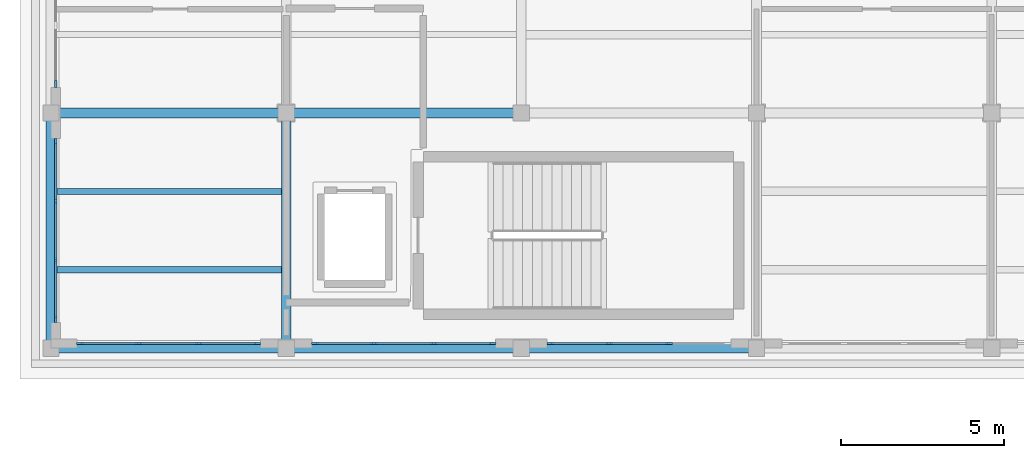
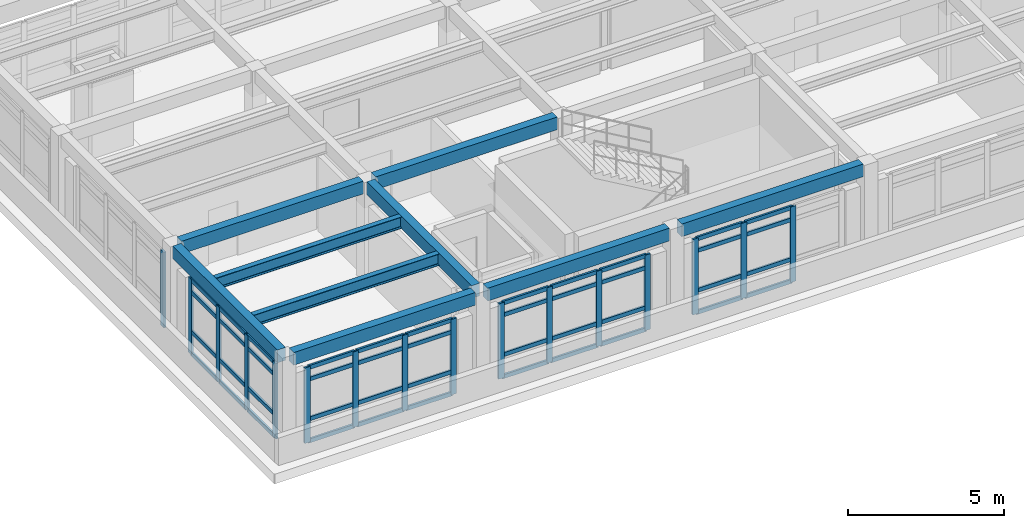
# One storey, part 2 of 18: 60 members, 9 beams, 5 elements without a shape of their own.
"""IFC4 building model written with IfcOpenShell, lengths in metres."""

from ifc_helpers import new_model, si_unit, direction, frame, origin, origin_2d, place, context, subcontext, project, spatial, rectangle, i_section, extrude, material, layer, layer_set, material_profile, profile_set, type_object, element, aggregate, save


model = new_model("IFC4")

# Units and contexts
model_context = context("Model", 3, precision=1e-05, world=origin(), true_north=direction((0.0, 1.0)))
body_context = subcontext(model_context, "Body", "Model", "MODEL_VIEW")
ifc_project = project(units=[si_unit("LENGTHUNIT", "METRE"), si_unit("AREAUNIT", "SQUARE_METRE"), si_unit("VOLUMEUNIT", "CUBIC_METRE"), si_unit("PLANEANGLEUNIT", "RADIAN"), si_unit("MASSUNIT", "GRAM", prefix="KILO")], contexts=[model_context])

# Site, building, storey
site_placement = place(None, origin())
site = spatial("IfcSite", under=ifc_project, at=site_placement, CompositionType="ELEMENT")
building_placement = place(site_placement, origin())
building = spatial("IfcBuilding", under=site, at=building_placement, Name="Solenvale Faculty of Natural Sciences", CompositionType="ELEMENT")
storey_placement = place(building_placement, frame((0.0, 0.0, 43.800048828125)))
storey = spatial("IfcBuildingStorey", under=building, at=storey_placement, Name="L10", CompositionType="ELEMENT", Elevation=43.800048828125)

# Beams
ifc_material_1 = material(Name="Concrete 40 MPa", Category="concrete")
ifc_material_profile_1 = material_profile(ifc_material_1, rectangle(XDim=0.300048828125, YDim=0.5, at=origin_2d()), Name="RC-BM-300x500")
ifc_profile_set_1 = profile_set([ifc_material_profile_1], Name="Concrete 40 MPa")
beam_type_1 = type_object("IfcBeamType", Name="BM-RC-300x500", PredefinedType="BEAM", material=ifc_profile_set_1)
for number, where, z_axis, x_axis, name in (
    (1, (93.830078125, 93.60009765625, 3.669921875), (1.0, 0.0, 0.0), (0.0, 1.0, 0.0), "L10 X-Girder Y93.6 (93.6..100.8)"),
    (2, (101.030029296875, 93.60009765625, 3.669921875), (1.0, 0.0, 0.0), (0.0, 1.0, 0.0), "L10 X-Girder Y93.6 (100.8..108.0)"),
    (3, (108.22998046875, 93.60009765625, 3.669921875), (1.0, 0.0, 0.0), (0.0, 1.0, 0.0), "L10 X-Girder Y93.6 (108.0..115.2)"),
    (4, (93.830078125, 100.800048828125, 3.669921875), (1.0, 0.0, 0.0), (0.0, 1.0, 0.0), "L10 X-Girder Y100.8 (93.6..100.8)"),
    (5, (101.030029296875, 100.800048828125, 3.669921875), (1.0, 0.0, 0.0), (0.0, 1.0, 0.0), "L10 X-Girder Y100.8 (100.8..108.0)"),
    (6, (93.60009765625, 93.830078125, 3.669921875), (0.0, 1.0, 0.0), (-1.0, 0.0, 0.0), "L10 Y-Girder X93.6 (93.6..100.8)"),
    (7, (100.800048828125, 93.830078125, 3.669921875), (0.0, 1.0, 0.0), (-1.0, 0.0, 0.0), "L10 Y-Girder X100.8 (93.6..100.8)"),
):
    element("IfcBeam", number, at=place(storey_placement, frame(where, z_axis=z_axis, x_axis=x_axis)), inside=storey, type_object=beam_type_1, Name=name, PredefinedType="BEAM", context=body_context, shape_type="SweptSolid", body=[
        extrude(rectangle(XDim=0.300048828125, YDim=0.5, at=origin_2d()), origin(), (0.0, 0.0, 1.0), 6.739990234375),
    ])
ifc_material_2 = material(Name="Steel S355", Category="steel")
ifc_material_profile_2 = material_profile(ifc_material_2, i_section(OverallWidth=0.19091796875, OverallDepth=0.4599609375, WebThickness=0.010009765625, FlangeThickness=0.01611328125, FilletRadius=0.01806640625, at=origin_2d()), Name="W460x82")
ifc_profile_set_2 = profile_set([ifc_material_profile_2], Name="Steel S355")
beam_type_2 = type_object("IfcBeamType", Name="BM-STL-W460x82", PredefinedType="JOIST", material=ifc_profile_set_2)
for number, where, z_axis, x_axis, name in (
    (8, (93.72998046875, 96.0, 3.68994140625), (1.0, 0.0, 0.0), (0.0, 1.0, 0.0), "L10 Composite Floor Joist (14,14).1"),
    (9, (93.72998046875, 98.39990234375, 3.68994140625), (1.0, 0.0, 0.0), (0.0, 1.0, 0.0), "L10 Composite Floor Joist (14,14).2"),
):
    element("IfcBeam", number, at=place(storey_placement, frame(where, z_axis=z_axis, x_axis=x_axis)), inside=storey, type_object=beam_type_2, Name=name, PredefinedType="JOIST", context=body_context, shape_type="SweptSolid", body=[
        extrude(i_section(OverallWidth=0.19091796875, OverallDepth=0.4599609375, WebThickness=0.010009765625, FlangeThickness=0.01611328125, FilletRadius=0.01806640625, at=origin_2d()), origin(), (0.0, 0.0, 1.0), 6.93994140625),
    ])

# Curtain wall, member
ifc_material_3 = material(Name="Anodised bronze aluminium", Category="aluminium")
ifc_layer = layer(ifc_material_3, 0.179931640625)
ifc_layer_set = layer_set([ifc_layer], Name="Anodised bronze aluminium")
curtain_wall_type = type_object("IfcCurtainWallType", Name="CW-TWR-MOD", PredefinedType="USERDEFINED", material=ifc_layer_set)
curtain_wall_1_placement = place(storey_placement, origin())
curtain_wall_1 = element("IfcCurtainWall", 10, at=curtain_wall_1_placement, inside=storey, type_object=curtain_wall_type, Name="L10 Curtain Wall CW-L10-P1-E3-B2", ObjectType="UNITISED CURTAIN WALL", PredefinedType="USERDEFINED")
ifc_material_profile_3 = material_profile(ifc_material_3, rectangle(XDim=0.074951171875, YDim=0.2099609375, at=origin_2d()), Name="ALU-MUL-75x210")
ifc_profile_set_3 = profile_set([ifc_material_profile_3], Name="Anodised bronze aluminium")
member_type_1 = type_object("IfcMemberType", Name="CWM-ALU-75x210", PredefinedType="MULLION", material=ifc_profile_set_3)
member_1_placement = place(storey_placement, frame((93.742431640625, 101.6875, 0.0), z_axis=(0.0, 0.0, 1.0), x_axis=(1.0, 0.0, 0.0)))
member_1 = element("IfcMember", 11, at=member_1_placement, type_object=member_type_1, Name="CW-04 mullion 4", PredefinedType="MULLION", context=body_context, shape_type="SweptSolid", body=[
    extrude(rectangle(XDim=0.074951171875, YDim=0.2099609375, at=origin_2d()), origin(), (0.0, 0.0, 1.0), 2.9599609375),
])
aggregate(curtain_wall_1, [member_1])

# Curtain wall, members
curtain_wall_2_placement = place(storey_placement, origin())
curtain_wall_2 = element("IfcCurtainWall", 12, at=curtain_wall_2_placement, inside=storey, type_object=curtain_wall_type, Name="L10 Curtain Wall CW-L10-P1-E3-B3", ObjectType="UNITISED CURTAIN WALL", PredefinedType="USERDEFINED")
member_2_placement = place(storey_placement, frame((93.742431640625, 99.91259765625, 0.0), z_axis=(0.0, 0.0, 1.0), x_axis=(1.0, 0.0, 0.0)))
member_2 = element("IfcMember", 13, at=member_2_placement, type_object=member_type_1, Name="CW-04 mullion 1", PredefinedType="MULLION", context=body_context, shape_type="SweptSolid", body=[
    extrude(rectangle(XDim=0.074951171875, YDim=0.2099609375, at=origin_2d()), origin(), (0.0, 0.0, 1.0), 2.9599609375),
])
member_3_placement = place(storey_placement, frame((93.742431640625, 98.11669921875, 0.0), z_axis=(0.0, 0.0, 1.0), x_axis=(1.0, 0.0, 0.0)))
member_3 = element("IfcMember", 14, at=member_3_placement, type_object=member_type_1, Name="CW-04 mullion 2", PredefinedType="MULLION", context=body_context, shape_type="SweptSolid", body=[
    extrude(rectangle(XDim=0.074951171875, YDim=0.2099609375, at=origin_2d()), origin(), (0.0, 0.0, 1.0), 2.9599609375),
])
member_4_placement = place(storey_placement, frame((93.742431640625, 96.283447265625, 0.0), z_axis=(0.0, 0.0, 1.0), x_axis=(1.0, 0.0, 0.0)))
member_4 = element("IfcMember", 15, at=member_4_placement, type_object=member_type_1, Name="CW-04 mullion 3", PredefinedType="MULLION", context=body_context, shape_type="SweptSolid", body=[
    extrude(rectangle(XDim=0.074951171875, YDim=0.2099609375, at=origin_2d()), origin(), (0.0, 0.0, 1.0), 2.9599609375),
])
member_5_placement = place(storey_placement, frame((93.742431640625, 94.487548828125, 0.0), z_axis=(0.0, 0.0, 1.0), x_axis=(1.0, 0.0, 0.0)))
member_5 = element("IfcMember", 16, at=member_5_placement, type_object=member_type_1, Name="CW-04 mullion 4", PredefinedType="MULLION", context=body_context, shape_type="SweptSolid", body=[
    extrude(rectangle(XDim=0.074951171875, YDim=0.2099609375, at=origin_2d()), origin(), (0.0, 0.0, 1.0), 2.9599609375),
])

curtain_wall_3_placement = place(storey_placement, origin())
curtain_wall_3 = element("IfcCurtainWall", 17, at=curtain_wall_3_placement, inside=storey, type_object=curtain_wall_type, Name="L10 Curtain Wall CW-L10-P1-E4-B1", ObjectType="UNITISED CURTAIN WALL", PredefinedType="USERDEFINED")
member_6_placement = place(storey_placement, frame((94.487548828125, 93.742431640625, 0.0), z_axis=(0.0, 0.0, 1.0), x_axis=(0.0, 1.0, 0.0)))
member_6 = element("IfcMember", 18, at=member_6_placement, type_object=member_type_1, Name="CW-04 mullion 1", PredefinedType="MULLION", context=body_context, shape_type="SweptSolid", body=[
    extrude(rectangle(XDim=0.074951171875, YDim=0.2099609375, at=origin_2d()), origin(), (0.0, 0.0, 1.0), 2.9599609375),
])
member_7_placement = place(storey_placement, frame((96.283447265625, 93.742431640625, 0.0), z_axis=(0.0, 0.0, 1.0), x_axis=(0.0, 1.0, 0.0)))
member_7 = element("IfcMember", 19, at=member_7_placement, type_object=member_type_1, Name="CW-04 mullion 2", PredefinedType="MULLION", context=body_context, shape_type="SweptSolid", body=[
    extrude(rectangle(XDim=0.074951171875, YDim=0.2099609375, at=origin_2d()), origin(), (0.0, 0.0, 1.0), 2.9599609375),
])
member_8_placement = place(storey_placement, frame((98.11669921875, 93.742431640625, 0.0), z_axis=(0.0, 0.0, 1.0), x_axis=(0.0, 1.0, 0.0)))
member_8 = element("IfcMember", 20, at=member_8_placement, type_object=member_type_1, Name="CW-04 mullion 3", PredefinedType="MULLION", context=body_context, shape_type="SweptSolid", body=[
    extrude(rectangle(XDim=0.074951171875, YDim=0.2099609375, at=origin_2d()), origin(), (0.0, 0.0, 1.0), 2.9599609375),
])
member_9_placement = place(storey_placement, frame((99.91259765625, 93.742431640625, 0.0), z_axis=(0.0, 0.0, 1.0), x_axis=(0.0, 1.0, 0.0)))
member_9 = element("IfcMember", 21, at=member_9_placement, type_object=member_type_1, Name="CW-04 mullion 4", PredefinedType="MULLION", context=body_context, shape_type="SweptSolid", body=[
    extrude(rectangle(XDim=0.074951171875, YDim=0.2099609375, at=origin_2d()), origin(), (0.0, 0.0, 1.0), 2.9599609375),
])

curtain_wall_4_placement = place(storey_placement, origin())
curtain_wall_4 = element("IfcCurtainWall", 22, at=curtain_wall_4_placement, inside=storey, type_object=curtain_wall_type, Name="L10 Curtain Wall CW-L10-P1-E4-B2", ObjectType="UNITISED CURTAIN WALL", PredefinedType="USERDEFINED")
member_10_placement = place(storey_placement, frame((101.6875, 93.742431640625, 0.0), z_axis=(0.0, 0.0, 1.0), x_axis=(0.0, 1.0, 0.0)))
member_10 = element("IfcMember", 23, at=member_10_placement, type_object=member_type_1, Name="CW-04 mullion 1", PredefinedType="MULLION", context=body_context, shape_type="SweptSolid", body=[
    extrude(rectangle(XDim=0.074951171875, YDim=0.2099609375, at=origin_2d()), origin(), (0.0, 0.0, 1.0), 2.9599609375),
])
member_11_placement = place(storey_placement, frame((103.4833984375, 93.742431640625, 0.0), z_axis=(0.0, 0.0, 1.0), x_axis=(0.0, 1.0, 0.0)))
member_11 = element("IfcMember", 24, at=member_11_placement, type_object=member_type_1, Name="CW-04 mullion 2", PredefinedType="MULLION", context=body_context, shape_type="SweptSolid", body=[
    extrude(rectangle(XDim=0.074951171875, YDim=0.2099609375, at=origin_2d()), origin(), (0.0, 0.0, 1.0), 2.9599609375),
])
member_12_placement = place(storey_placement, frame((105.316650390625, 93.742431640625, 0.0), z_axis=(0.0, 0.0, 1.0), x_axis=(0.0, 1.0, 0.0)))
member_12 = element("IfcMember", 25, at=member_12_placement, type_object=member_type_1, Name="CW-04 mullion 3", PredefinedType="MULLION", context=body_context, shape_type="SweptSolid", body=[
    extrude(rectangle(XDim=0.074951171875, YDim=0.2099609375, at=origin_2d()), origin(), (0.0, 0.0, 1.0), 2.9599609375),
])
member_13_placement = place(storey_placement, frame((107.112548828125, 93.742431640625, 0.0), z_axis=(0.0, 0.0, 1.0), x_axis=(0.0, 1.0, 0.0)))
member_13 = element("IfcMember", 26, at=member_13_placement, type_object=member_type_1, Name="CW-04 mullion 4", PredefinedType="MULLION", context=body_context, shape_type="SweptSolid", body=[
    extrude(rectangle(XDim=0.074951171875, YDim=0.2099609375, at=origin_2d()), origin(), (0.0, 0.0, 1.0), 2.9599609375),
])

curtain_wall_5_placement = place(storey_placement, origin())
curtain_wall_5 = element("IfcCurtainWall", 27, at=curtain_wall_5_placement, inside=storey, type_object=curtain_wall_type, Name="L10 Curtain Wall CW-L10-P1-E4-B3", ObjectType="UNITISED CURTAIN WALL", PredefinedType="USERDEFINED")
member_14_placement = place(storey_placement, frame((108.887451171875, 93.742431640625, 0.0), z_axis=(0.0, 0.0, 1.0), x_axis=(0.0, 1.0, 0.0)))
member_14 = element("IfcMember", 28, at=member_14_placement, type_object=member_type_1, Name="CW-04 mullion 1", PredefinedType="MULLION", context=body_context, shape_type="SweptSolid", body=[
    extrude(rectangle(XDim=0.074951171875, YDim=0.2099609375, at=origin_2d()), origin(), (0.0, 0.0, 1.0), 2.9599609375),
])
member_15_placement = place(storey_placement, frame((110.683349609375, 93.742431640625, 0.0), z_axis=(0.0, 0.0, 1.0), x_axis=(0.0, 1.0, 0.0)))
member_15 = element("IfcMember", 29, at=member_15_placement, type_object=member_type_1, Name="CW-04 mullion 2", PredefinedType="MULLION", context=body_context, shape_type="SweptSolid", body=[
    extrude(rectangle(XDim=0.074951171875, YDim=0.2099609375, at=origin_2d()), origin(), (0.0, 0.0, 1.0), 2.9599609375),
])
member_16_placement = place(storey_placement, frame((112.5166015625, 93.742431640625, 0.0), z_axis=(0.0, 0.0, 1.0), x_axis=(0.0, 1.0, 0.0)))
member_16 = element("IfcMember", 30, at=member_16_placement, type_object=member_type_1, Name="CW-04 mullion 3", PredefinedType="MULLION", context=body_context, shape_type="SweptSolid", body=[
    extrude(rectangle(XDim=0.074951171875, YDim=0.2099609375, at=origin_2d()), origin(), (0.0, 0.0, 1.0), 2.9599609375),
])

# Member
ifc_material_profile_4 = material_profile(ifc_material_3, rectangle(XDim=0.074951171875, YDim=0.155029296875, at=origin_2d()), Name="ALU-TRN-75x155")
ifc_profile_set_4 = profile_set([ifc_material_profile_4], Name="Anodised bronze aluminium")
member_type_2 = type_object("IfcMemberType", Name="CWT-ALU-75x155", PredefinedType="USERDEFINED", material=ifc_profile_set_4)
member_17_placement = place(storey_placement, frame((93.742431640625, 99.875, 0.037353515625), z_axis=(0.0, -1.0, 0.0), x_axis=(1.0, 0.0, 0.0)))
member_17 = element("IfcMember", 31, at=member_17_placement, type_object=member_type_2, Name="CW-04 transom 1.1", ObjectType="TRANSOM", PredefinedType="USERDEFINED", context=body_context, shape_type="SweptSolid", body=[
    extrude(rectangle(XDim=0.074951171875, YDim=0.155029296875, at=origin_2d()), origin(), (0.0, 0.0, 1.0), 1.720947265625),
])

member_18_placement = place(storey_placement, frame((93.742431640625, 99.875, 0.89990234375), z_axis=(0.0, -1.0, 0.0), x_axis=(1.0, 0.0, 0.0)))
member_18 = element("IfcMember", 32, at=member_18_placement, type_object=member_type_2, Name="CW-04 transom 1.2", ObjectType="TRANSOM", PredefinedType="USERDEFINED", context=body_context, shape_type="SweptSolid", body=[
    extrude(rectangle(XDim=0.074951171875, YDim=0.155029296875, at=origin_2d()), origin(), (0.0, 0.0, 1.0), 1.720947265625),
])

member_19_placement = place(storey_placement, frame((93.742431640625, 99.875, 2.4599609375), z_axis=(0.0, -1.0, 0.0), x_axis=(1.0, 0.0, 0.0)))
member_19 = element("IfcMember", 33, at=member_19_placement, type_object=member_type_2, Name="CW-04 transom 1.3", ObjectType="TRANSOM", PredefinedType="USERDEFINED", context=body_context, shape_type="SweptSolid", body=[
    extrude(rectangle(XDim=0.074951171875, YDim=0.155029296875, at=origin_2d()), origin(), (0.0, 0.0, 1.0), 1.720947265625),
])

member_20_placement = place(storey_placement, frame((93.742431640625, 99.875, 2.92236328125), z_axis=(0.0, -1.0, 0.0), x_axis=(1.0, 0.0, 0.0)))
member_20 = element("IfcMember", 34, at=member_20_placement, type_object=member_type_2, Name="CW-04 transom 1.4", ObjectType="TRANSOM", PredefinedType="USERDEFINED", context=body_context, shape_type="SweptSolid", body=[
    extrude(rectangle(XDim=0.074951171875, YDim=0.155029296875, at=origin_2d()), origin(), (0.0, 0.0, 1.0), 1.720947265625),
])

member_21_placement = place(storey_placement, frame((93.742431640625, 98.0791015625, 0.037353515625), z_axis=(0.0, -1.0, 0.0), x_axis=(1.0, 0.0, 0.0)))
member_21 = element("IfcMember", 35, at=member_21_placement, type_object=member_type_2, Name="CW-04 transom 2.1", ObjectType="TRANSOM", PredefinedType="USERDEFINED", context=body_context, shape_type="SweptSolid", body=[
    extrude(rectangle(XDim=0.074951171875, YDim=0.155029296875, at=origin_2d()), origin(), (0.0, 0.0, 1.0), 1.75830078125),
])

member_22_placement = place(storey_placement, frame((93.742431640625, 98.0791015625, 0.89990234375), z_axis=(0.0, -1.0, 0.0), x_axis=(1.0, 0.0, 0.0)))
member_22 = element("IfcMember", 36, at=member_22_placement, type_object=member_type_2, Name="CW-04 transom 2.2", ObjectType="TRANSOM", PredefinedType="USERDEFINED", context=body_context, shape_type="SweptSolid", body=[
    extrude(rectangle(XDim=0.074951171875, YDim=0.155029296875, at=origin_2d()), origin(), (0.0, 0.0, 1.0), 1.75830078125),
])

member_23_placement = place(storey_placement, frame((93.742431640625, 98.0791015625, 2.4599609375), z_axis=(0.0, -1.0, 0.0), x_axis=(1.0, 0.0, 0.0)))
member_23 = element("IfcMember", 37, at=member_23_placement, type_object=member_type_2, Name="CW-04 transom 2.3", ObjectType="TRANSOM", PredefinedType="USERDEFINED", context=body_context, shape_type="SweptSolid", body=[
    extrude(rectangle(XDim=0.074951171875, YDim=0.155029296875, at=origin_2d()), origin(), (0.0, 0.0, 1.0), 1.75830078125),
])

member_24_placement = place(storey_placement, frame((93.742431640625, 98.0791015625, 2.92236328125), z_axis=(0.0, -1.0, 0.0), x_axis=(1.0, 0.0, 0.0)))
member_24 = element("IfcMember", 38, at=member_24_placement, type_object=member_type_2, Name="CW-04 transom 2.4", ObjectType="TRANSOM", PredefinedType="USERDEFINED", context=body_context, shape_type="SweptSolid", body=[
    extrude(rectangle(XDim=0.074951171875, YDim=0.155029296875, at=origin_2d()), origin(), (0.0, 0.0, 1.0), 1.75830078125),
])

member_25_placement = place(storey_placement, frame((93.742431640625, 96.245849609375, 0.037353515625), z_axis=(0.0, -1.0, 0.0), x_axis=(1.0, 0.0, 0.0)))
member_25 = element("IfcMember", 39, at=member_25_placement, type_object=member_type_2, Name="CW-04 transom 3.1", ObjectType="TRANSOM", PredefinedType="USERDEFINED", context=body_context, shape_type="SweptSolid", body=[
    extrude(rectangle(XDim=0.074951171875, YDim=0.155029296875, at=origin_2d()), origin(), (0.0, 0.0, 1.0), 1.720947265625),
])

member_26_placement = place(storey_placement, frame((93.742431640625, 96.245849609375, 0.89990234375), z_axis=(0.0, -1.0, 0.0), x_axis=(1.0, 0.0, 0.0)))
member_26 = element("IfcMember", 40, at=member_26_placement, type_object=member_type_2, Name="CW-04 transom 3.2", ObjectType="TRANSOM", PredefinedType="USERDEFINED", context=body_context, shape_type="SweptSolid", body=[
    extrude(rectangle(XDim=0.074951171875, YDim=0.155029296875, at=origin_2d()), origin(), (0.0, 0.0, 1.0), 1.720947265625),
])

member_27_placement = place(storey_placement, frame((93.742431640625, 96.245849609375, 2.4599609375), z_axis=(0.0, -1.0, 0.0), x_axis=(1.0, 0.0, 0.0)))
member_27 = element("IfcMember", 41, at=member_27_placement, type_object=member_type_2, Name="CW-04 transom 3.3", ObjectType="TRANSOM", PredefinedType="USERDEFINED", context=body_context, shape_type="SweptSolid", body=[
    extrude(rectangle(XDim=0.074951171875, YDim=0.155029296875, at=origin_2d()), origin(), (0.0, 0.0, 1.0), 1.720947265625),
])

member_28_placement = place(storey_placement, frame((93.742431640625, 96.245849609375, 2.92236328125), z_axis=(0.0, -1.0, 0.0), x_axis=(1.0, 0.0, 0.0)))
member_28 = element("IfcMember", 42, at=member_28_placement, type_object=member_type_2, Name="CW-04 transom 3.4", ObjectType="TRANSOM", PredefinedType="USERDEFINED", context=body_context, shape_type="SweptSolid", body=[
    extrude(rectangle(XDim=0.074951171875, YDim=0.155029296875, at=origin_2d()), origin(), (0.0, 0.0, 1.0), 1.720947265625),
])

aggregate(curtain_wall_2, [member_2, member_3, member_4, member_5, member_17, member_18, member_19, member_20, member_21, member_22, member_23, member_24, member_25, member_26, member_27, member_28])

member_29_placement = place(storey_placement, frame((94.52490234375, 93.742431640625, 0.037353515625), z_axis=(1.0, 0.0, 0.0), x_axis=(0.0, 1.0, 0.0)))
member_29 = element("IfcMember", 43, at=member_29_placement, type_object=member_type_2, Name="CW-04 transom 1.1", ObjectType="TRANSOM", PredefinedType="USERDEFINED", context=body_context, shape_type="SweptSolid", body=[
    extrude(rectangle(XDim=0.074951171875, YDim=0.155029296875, at=origin_2d()), origin(), (0.0, 0.0, 1.0), 1.720947265625),
])

member_30_placement = place(storey_placement, frame((94.52490234375, 93.742431640625, 0.89990234375), z_axis=(1.0, 0.0, 0.0), x_axis=(0.0, 1.0, 0.0)))
member_30 = element("IfcMember", 44, at=member_30_placement, type_object=member_type_2, Name="CW-04 transom 1.2", ObjectType="TRANSOM", PredefinedType="USERDEFINED", context=body_context, shape_type="SweptSolid", body=[
    extrude(rectangle(XDim=0.074951171875, YDim=0.155029296875, at=origin_2d()), origin(), (0.0, 0.0, 1.0), 1.720947265625),
])

member_31_placement = place(storey_placement, frame((94.52490234375, 93.742431640625, 2.4599609375), z_axis=(1.0, 0.0, 0.0), x_axis=(0.0, 1.0, 0.0)))
member_31 = element("IfcMember", 45, at=member_31_placement, type_object=member_type_2, Name="CW-04 transom 1.3", ObjectType="TRANSOM", PredefinedType="USERDEFINED", context=body_context, shape_type="SweptSolid", body=[
    extrude(rectangle(XDim=0.074951171875, YDim=0.155029296875, at=origin_2d()), origin(), (0.0, 0.0, 1.0), 1.720947265625),
])

member_32_placement = place(storey_placement, frame((94.52490234375, 93.742431640625, 2.92236328125), z_axis=(1.0, 0.0, 0.0), x_axis=(0.0, 1.0, 0.0)))
member_32 = element("IfcMember", 46, at=member_32_placement, type_object=member_type_2, Name="CW-04 transom 1.4", ObjectType="TRANSOM", PredefinedType="USERDEFINED", context=body_context, shape_type="SweptSolid", body=[
    extrude(rectangle(XDim=0.074951171875, YDim=0.155029296875, at=origin_2d()), origin(), (0.0, 0.0, 1.0), 1.720947265625),
])

member_33_placement = place(storey_placement, frame((96.32080078125, 93.742431640625, 0.037353515625), z_axis=(1.0, 0.0, 0.0), x_axis=(0.0, 1.0, 0.0)))
member_33 = element("IfcMember", 47, at=member_33_placement, type_object=member_type_2, Name="CW-04 transom 2.1", ObjectType="TRANSOM", PredefinedType="USERDEFINED", context=body_context, shape_type="SweptSolid", body=[
    extrude(rectangle(XDim=0.074951171875, YDim=0.155029296875, at=origin_2d()), origin(), (0.0, 0.0, 1.0), 1.75830078125),
])

member_34_placement = place(storey_placement, frame((96.32080078125, 93.742431640625, 0.89990234375), z_axis=(1.0, 0.0, 0.0), x_axis=(0.0, 1.0, 0.0)))
member_34 = element("IfcMember", 48, at=member_34_placement, type_object=member_type_2, Name="CW-04 transom 2.2", ObjectType="TRANSOM", PredefinedType="USERDEFINED", context=body_context, shape_type="SweptSolid", body=[
    extrude(rectangle(XDim=0.074951171875, YDim=0.155029296875, at=origin_2d()), origin(), (0.0, 0.0, 1.0), 1.75830078125),
])

member_35_placement = place(storey_placement, frame((96.32080078125, 93.742431640625, 2.4599609375), z_axis=(1.0, 0.0, 0.0), x_axis=(0.0, 1.0, 0.0)))
member_35 = element("IfcMember", 49, at=member_35_placement, type_object=member_type_2, Name="CW-04 transom 2.3", ObjectType="TRANSOM", PredefinedType="USERDEFINED", context=body_context, shape_type="SweptSolid", body=[
    extrude(rectangle(XDim=0.074951171875, YDim=0.155029296875, at=origin_2d()), origin(), (0.0, 0.0, 1.0), 1.75830078125),
])

member_36_placement = place(storey_placement, frame((96.32080078125, 93.742431640625, 2.92236328125), z_axis=(1.0, 0.0, 0.0), x_axis=(0.0, 1.0, 0.0)))
member_36 = element("IfcMember", 50, at=member_36_placement, type_object=member_type_2, Name="CW-04 transom 2.4", ObjectType="TRANSOM", PredefinedType="USERDEFINED", context=body_context, shape_type="SweptSolid", body=[
    extrude(rectangle(XDim=0.074951171875, YDim=0.155029296875, at=origin_2d()), origin(), (0.0, 0.0, 1.0), 1.75830078125),
])

member_37_placement = place(storey_placement, frame((98.154052734375, 93.742431640625, 0.037353515625), z_axis=(1.0, 0.0, 0.0), x_axis=(0.0, 1.0, 0.0)))
member_37 = element("IfcMember", 51, at=member_37_placement, type_object=member_type_2, Name="CW-04 transom 3.1", ObjectType="TRANSOM", PredefinedType="USERDEFINED", context=body_context, shape_type="SweptSolid", body=[
    extrude(rectangle(XDim=0.074951171875, YDim=0.155029296875, at=origin_2d()), origin(), (0.0, 0.0, 1.0), 1.720947265625),
])

member_38_placement = place(storey_placement, frame((98.154052734375, 93.742431640625, 0.89990234375), z_axis=(1.0, 0.0, 0.0), x_axis=(0.0, 1.0, 0.0)))
member_38 = element("IfcMember", 52, at=member_38_placement, type_object=member_type_2, Name="CW-04 transom 3.2", ObjectType="TRANSOM", PredefinedType="USERDEFINED", context=body_context, shape_type="SweptSolid", body=[
    extrude(rectangle(XDim=0.074951171875, YDim=0.155029296875, at=origin_2d()), origin(), (0.0, 0.0, 1.0), 1.720947265625),
])

member_39_placement = place(storey_placement, frame((98.154052734375, 93.742431640625, 2.4599609375), z_axis=(1.0, 0.0, 0.0), x_axis=(0.0, 1.0, 0.0)))
member_39 = element("IfcMember", 53, at=member_39_placement, type_object=member_type_2, Name="CW-04 transom 3.3", ObjectType="TRANSOM", PredefinedType="USERDEFINED", context=body_context, shape_type="SweptSolid", body=[
    extrude(rectangle(XDim=0.074951171875, YDim=0.155029296875, at=origin_2d()), origin(), (0.0, 0.0, 1.0), 1.720947265625),
])

member_40_placement = place(storey_placement, frame((98.154052734375, 93.742431640625, 2.92236328125), z_axis=(1.0, 0.0, 0.0), x_axis=(0.0, 1.0, 0.0)))
member_40 = element("IfcMember", 54, at=member_40_placement, type_object=member_type_2, Name="CW-04 transom 3.4", ObjectType="TRANSOM", PredefinedType="USERDEFINED", context=body_context, shape_type="SweptSolid", body=[
    extrude(rectangle(XDim=0.074951171875, YDim=0.155029296875, at=origin_2d()), origin(), (0.0, 0.0, 1.0), 1.720947265625),
])

aggregate(curtain_wall_3, [member_6, member_7, member_8, member_9, member_29, member_30, member_31, member_32, member_33, member_34, member_35, member_36, member_37, member_38, member_39, member_40])

member_41_placement = place(storey_placement, frame((101.72509765625, 93.742431640625, 0.037353515625), z_axis=(1.0, 0.0, 0.0), x_axis=(0.0, 1.0, 0.0)))
member_41 = element("IfcMember", 55, at=member_41_placement, type_object=member_type_2, Name="CW-04 transom 1.1", ObjectType="TRANSOM", PredefinedType="USERDEFINED", context=body_context, shape_type="SweptSolid", body=[
    extrude(rectangle(XDim=0.074951171875, YDim=0.155029296875, at=origin_2d()), origin(), (0.0, 0.0, 1.0), 1.720703125),
])

member_42_placement = place(storey_placement, frame((101.72509765625, 93.742431640625, 0.89990234375), z_axis=(1.0, 0.0, 0.0), x_axis=(0.0, 1.0, 0.0)))
member_42 = element("IfcMember", 56, at=member_42_placement, type_object=member_type_2, Name="CW-04 transom 1.2", ObjectType="TRANSOM", PredefinedType="USERDEFINED", context=body_context, shape_type="SweptSolid", body=[
    extrude(rectangle(XDim=0.074951171875, YDim=0.155029296875, at=origin_2d()), origin(), (0.0, 0.0, 1.0), 1.720703125),
])

member_43_placement = place(storey_placement, frame((101.72509765625, 93.742431640625, 2.4599609375), z_axis=(1.0, 0.0, 0.0), x_axis=(0.0, 1.0, 0.0)))
member_43 = element("IfcMember", 57, at=member_43_placement, type_object=member_type_2, Name="CW-04 transom 1.3", ObjectType="TRANSOM", PredefinedType="USERDEFINED", context=body_context, shape_type="SweptSolid", body=[
    extrude(rectangle(XDim=0.074951171875, YDim=0.155029296875, at=origin_2d()), origin(), (0.0, 0.0, 1.0), 1.720703125),
])

member_44_placement = place(storey_placement, frame((101.72509765625, 93.742431640625, 2.92236328125), z_axis=(1.0, 0.0, 0.0), x_axis=(0.0, 1.0, 0.0)))
member_44 = element("IfcMember", 58, at=member_44_placement, type_object=member_type_2, Name="CW-04 transom 1.4", ObjectType="TRANSOM", PredefinedType="USERDEFINED", context=body_context, shape_type="SweptSolid", body=[
    extrude(rectangle(XDim=0.074951171875, YDim=0.155029296875, at=origin_2d()), origin(), (0.0, 0.0, 1.0), 1.720703125),
])

member_45_placement = place(storey_placement, frame((103.520751953125, 93.742431640625, 0.037353515625), z_axis=(1.0, 0.0, 0.0), x_axis=(0.0, 1.0, 0.0)))
member_45 = element("IfcMember", 59, at=member_45_placement, type_object=member_type_2, Name="CW-04 transom 2.1", ObjectType="TRANSOM", PredefinedType="USERDEFINED", context=body_context, shape_type="SweptSolid", body=[
    extrude(rectangle(XDim=0.074951171875, YDim=0.155029296875, at=origin_2d()), origin(), (0.0, 0.0, 1.0), 1.75830078125),
])

member_46_placement = place(storey_placement, frame((103.520751953125, 93.742431640625, 0.89990234375), z_axis=(1.0, 0.0, 0.0), x_axis=(0.0, 1.0, 0.0)))
member_46 = element("IfcMember", 60, at=member_46_placement, type_object=member_type_2, Name="CW-04 transom 2.2", ObjectType="TRANSOM", PredefinedType="USERDEFINED", context=body_context, shape_type="SweptSolid", body=[
    extrude(rectangle(XDim=0.074951171875, YDim=0.155029296875, at=origin_2d()), origin(), (0.0, 0.0, 1.0), 1.75830078125),
])

member_47_placement = place(storey_placement, frame((103.520751953125, 93.742431640625, 2.4599609375), z_axis=(1.0, 0.0, 0.0), x_axis=(0.0, 1.0, 0.0)))
member_47 = element("IfcMember", 61, at=member_47_placement, type_object=member_type_2, Name="CW-04 transom 2.3", ObjectType="TRANSOM", PredefinedType="USERDEFINED", context=body_context, shape_type="SweptSolid", body=[
    extrude(rectangle(XDim=0.074951171875, YDim=0.155029296875, at=origin_2d()), origin(), (0.0, 0.0, 1.0), 1.75830078125),
])

member_48_placement = place(storey_placement, frame((103.520751953125, 93.742431640625, 2.92236328125), z_axis=(1.0, 0.0, 0.0), x_axis=(0.0, 1.0, 0.0)))
member_48 = element("IfcMember", 62, at=member_48_placement, type_object=member_type_2, Name="CW-04 transom 2.4", ObjectType="TRANSOM", PredefinedType="USERDEFINED", context=body_context, shape_type="SweptSolid", body=[
    extrude(rectangle(XDim=0.074951171875, YDim=0.155029296875, at=origin_2d()), origin(), (0.0, 0.0, 1.0), 1.75830078125),
])

member_49_placement = place(storey_placement, frame((105.354248046875, 93.742431640625, 0.037353515625), z_axis=(1.0, 0.0, 0.0), x_axis=(0.0, 1.0, 0.0)))
member_49 = element("IfcMember", 63, at=member_49_placement, type_object=member_type_2, Name="CW-04 transom 3.1", ObjectType="TRANSOM", PredefinedType="USERDEFINED", context=body_context, shape_type="SweptSolid", body=[
    extrude(rectangle(XDim=0.074951171875, YDim=0.155029296875, at=origin_2d()), origin(), (0.0, 0.0, 1.0), 1.720703125),
])

member_50_placement = place(storey_placement, frame((105.354248046875, 93.742431640625, 0.89990234375), z_axis=(1.0, 0.0, 0.0), x_axis=(0.0, 1.0, 0.0)))
member_50 = element("IfcMember", 64, at=member_50_placement, type_object=member_type_2, Name="CW-04 transom 3.2", ObjectType="TRANSOM", PredefinedType="USERDEFINED", context=body_context, shape_type="SweptSolid", body=[
    extrude(rectangle(XDim=0.074951171875, YDim=0.155029296875, at=origin_2d()), origin(), (0.0, 0.0, 1.0), 1.720703125),
])

member_51_placement = place(storey_placement, frame((105.354248046875, 93.742431640625, 2.4599609375), z_axis=(1.0, 0.0, 0.0), x_axis=(0.0, 1.0, 0.0)))
member_51 = element("IfcMember", 65, at=member_51_placement, type_object=member_type_2, Name="CW-04 transom 3.3", ObjectType="TRANSOM", PredefinedType="USERDEFINED", context=body_context, shape_type="SweptSolid", body=[
    extrude(rectangle(XDim=0.074951171875, YDim=0.155029296875, at=origin_2d()), origin(), (0.0, 0.0, 1.0), 1.720703125),
])

member_52_placement = place(storey_placement, frame((105.354248046875, 93.742431640625, 2.92236328125), z_axis=(1.0, 0.0, 0.0), x_axis=(0.0, 1.0, 0.0)))
member_52 = element("IfcMember", 66, at=member_52_placement, type_object=member_type_2, Name="CW-04 transom 3.4", ObjectType="TRANSOM", PredefinedType="USERDEFINED", context=body_context, shape_type="SweptSolid", body=[
    extrude(rectangle(XDim=0.074951171875, YDim=0.155029296875, at=origin_2d()), origin(), (0.0, 0.0, 1.0), 1.720703125),
])

aggregate(curtain_wall_4, [member_10, member_11, member_12, member_13, member_41, member_42, member_43, member_44, member_45, member_46, member_47, member_48, member_49, member_50, member_51, member_52])

member_53_placement = place(storey_placement, frame((108.925048828125, 93.742431640625, 0.037353515625), z_axis=(1.0, 0.0, 0.0), x_axis=(0.0, 1.0, 0.0)))
member_53 = element("IfcMember", 67, at=member_53_placement, type_object=member_type_2, Name="CW-04 transom 1.1", ObjectType="TRANSOM", PredefinedType="USERDEFINED", context=body_context, shape_type="SweptSolid", body=[
    extrude(rectangle(XDim=0.074951171875, YDim=0.155029296875, at=origin_2d()), origin(), (0.0, 0.0, 1.0), 1.720703125),
])

member_54_placement = place(storey_placement, frame((108.925048828125, 93.742431640625, 0.89990234375), z_axis=(1.0, 0.0, 0.0), x_axis=(0.0, 1.0, 0.0)))
member_54 = element("IfcMember", 68, at=member_54_placement, type_object=member_type_2, Name="CW-04 transom 1.2", ObjectType="TRANSOM", PredefinedType="USERDEFINED", context=body_context, shape_type="SweptSolid", body=[
    extrude(rectangle(XDim=0.074951171875, YDim=0.155029296875, at=origin_2d()), origin(), (0.0, 0.0, 1.0), 1.720703125),
])

member_55_placement = place(storey_placement, frame((108.925048828125, 93.742431640625, 2.4599609375), z_axis=(1.0, 0.0, 0.0), x_axis=(0.0, 1.0, 0.0)))
member_55 = element("IfcMember", 69, at=member_55_placement, type_object=member_type_2, Name="CW-04 transom 1.3", ObjectType="TRANSOM", PredefinedType="USERDEFINED", context=body_context, shape_type="SweptSolid", body=[
    extrude(rectangle(XDim=0.074951171875, YDim=0.155029296875, at=origin_2d()), origin(), (0.0, 0.0, 1.0), 1.720703125),
])

member_56_placement = place(storey_placement, frame((108.925048828125, 93.742431640625, 2.92236328125), z_axis=(1.0, 0.0, 0.0), x_axis=(0.0, 1.0, 0.0)))
member_56 = element("IfcMember", 70, at=member_56_placement, type_object=member_type_2, Name="CW-04 transom 1.4", ObjectType="TRANSOM", PredefinedType="USERDEFINED", context=body_context, shape_type="SweptSolid", body=[
    extrude(rectangle(XDim=0.074951171875, YDim=0.155029296875, at=origin_2d()), origin(), (0.0, 0.0, 1.0), 1.720703125),
])

member_57_placement = place(storey_placement, frame((110.720947265625, 93.742431640625, 0.037353515625), z_axis=(1.0, 0.0, 0.0), x_axis=(0.0, 1.0, 0.0)))
member_57 = element("IfcMember", 71, at=member_57_placement, type_object=member_type_2, Name="CW-04 transom 2.1", ObjectType="TRANSOM", PredefinedType="USERDEFINED", context=body_context, shape_type="SweptSolid", body=[
    extrude(rectangle(XDim=0.074951171875, YDim=0.155029296875, at=origin_2d()), origin(), (0.0, 0.0, 1.0), 1.75830078125),
])

member_58_placement = place(storey_placement, frame((110.720947265625, 93.742431640625, 0.89990234375), z_axis=(1.0, 0.0, 0.0), x_axis=(0.0, 1.0, 0.0)))
member_58 = element("IfcMember", 72, at=member_58_placement, type_object=member_type_2, Name="CW-04 transom 2.2", ObjectType="TRANSOM", PredefinedType="USERDEFINED", context=body_context, shape_type="SweptSolid", body=[
    extrude(rectangle(XDim=0.074951171875, YDim=0.155029296875, at=origin_2d()), origin(), (0.0, 0.0, 1.0), 1.75830078125),
])

member_59_placement = place(storey_placement, frame((110.720947265625, 93.742431640625, 2.4599609375), z_axis=(1.0, 0.0, 0.0), x_axis=(0.0, 1.0, 0.0)))
member_59 = element("IfcMember", 73, at=member_59_placement, type_object=member_type_2, Name="CW-04 transom 2.3", ObjectType="TRANSOM", PredefinedType="USERDEFINED", context=body_context, shape_type="SweptSolid", body=[
    extrude(rectangle(XDim=0.074951171875, YDim=0.155029296875, at=origin_2d()), origin(), (0.0, 0.0, 1.0), 1.75830078125),
])

member_60_placement = place(storey_placement, frame((110.720947265625, 93.742431640625, 2.92236328125), z_axis=(1.0, 0.0, 0.0), x_axis=(0.0, 1.0, 0.0)))
member_60 = element("IfcMember", 74, at=member_60_placement, type_object=member_type_2, Name="CW-04 transom 2.4", ObjectType="TRANSOM", PredefinedType="USERDEFINED", context=body_context, shape_type="SweptSolid", body=[
    extrude(rectangle(XDim=0.074951171875, YDim=0.155029296875, at=origin_2d()), origin(), (0.0, 0.0, 1.0), 1.75830078125),
])

aggregate(curtain_wall_5, [member_14, member_15, member_16, member_53, member_54, member_55, member_56, member_57, member_58, member_59, member_60])

save(model, "model.ifc")
